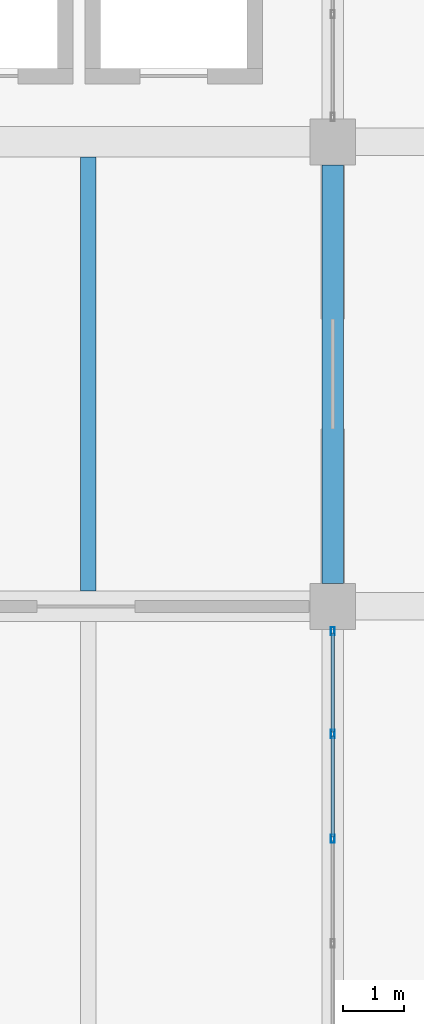
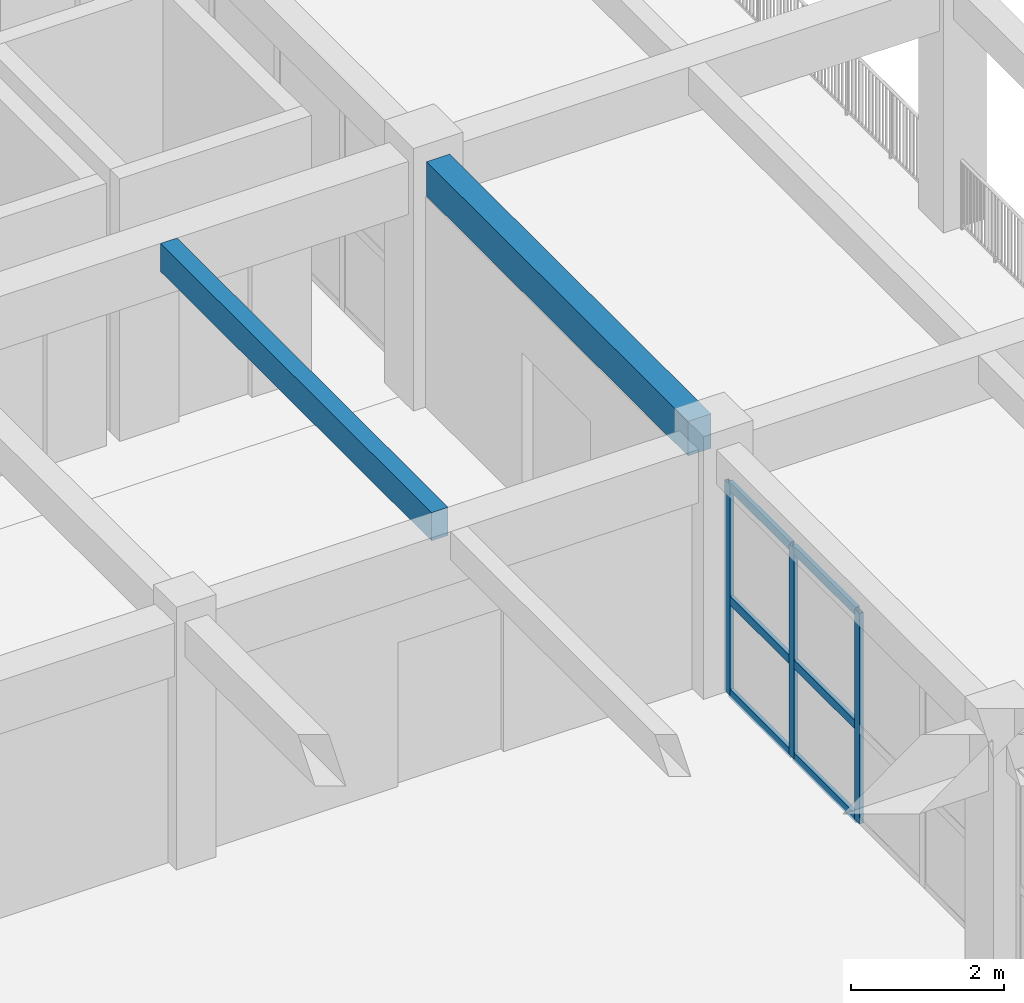
# One storey, part 21 of 63: 9 members, 2 beams, 1 element without a shape of its own.
"""IFC4 building model written with IfcOpenShell, lengths in metres."""

from ifc_helpers import new_model, si_unit, direction, frame, origin, origin_2d, place, context, subcontext, project, spatial, rectangle, hollow_rectangle, extrude, material, material_profile, profile_set, type_object, element, aggregate, save


model = new_model("IFC4")

# Units and contexts
model_context = context("Model", 3, precision=1e-05, world=origin(), true_north=direction((0.0, 1.0)))
body_context = subcontext(model_context, "Body", "Model", "MODEL_VIEW")
ifc_project = project(units=[si_unit("LENGTHUNIT", "METRE"), si_unit("AREAUNIT", "SQUARE_METRE"), si_unit("VOLUMEUNIT", "CUBIC_METRE"), si_unit("PLANEANGLEUNIT", "RADIAN"), si_unit("MASSUNIT", "GRAM", prefix="KILO")], contexts=[model_context])

# Site, building, storey
site_placement = place(None, origin())
site = spatial("IfcSite", under=ifc_project, at=site_placement, CompositionType="ELEMENT")
building_placement = place(site_placement, origin())
building = spatial("IfcBuilding", under=site, at=building_placement, Name="Zantavel Square City Hall", CompositionType="ELEMENT")
storey_placement = place(building_placement, frame((0.0, 0.0, 14.699951171875)))
storey = spatial("IfcBuildingStorey", under=building, at=storey_placement, Name="L04", CompositionType="ELEMENT", Elevation=14.699951171875)

# Curtain wall, members
ifc_material_1 = material(Name="Anodised aluminium 6063-T6", Category="aluminium")
curtain_wall_type = type_object("IfcCurtainWallType", Name="Curtain Wall TRV1 6850x3370", PredefinedType="USERDEFINED", material=ifc_material_1)
curtain_wall_placement = place(storey_placement, origin())
curtain_wall = element("IfcCurtainWall", 1, at=curtain_wall_placement, inside=storey, type_object=curtain_wall_type, Name="L04 Glazed Curtain Wall CW-L04-113", ObjectType="GLAZED CURTAIN WALL", PredefinedType="USERDEFINED")
ifc_material_profile_1 = material_profile(ifc_material_1, hollow_rectangle(XDim=0.06005859375, YDim=0.135009765625, WallThickness=0.00390625, at=origin_2d()), Name="ALU 60x135x4")
ifc_profile_set_1 = profile_set([ifc_material_profile_1], Name="Anodised aluminium 6063-T6")
member_type_1 = type_object("IfcMemberType", Name="CW Mullion ALU 60x135x4", PredefinedType="MULLION", material=ifc_profile_set_1)
member_1_placement = place(storey_placement, frame((104.0, 45.195068359375, 0.0), z_axis=(0.0, 0.0, 1.0), x_axis=(1.0, 0.0, 0.0)))
member_1 = element("IfcMember", 2, at=member_1_placement, type_object=member_type_1, Name="CW-113 mullion 1", PredefinedType="MULLION", context=body_context, shape_type="SweptSolid", body=[
    extrude(hollow_rectangle(XDim=0.06005859375, YDim=0.135009765625, WallThickness=0.00390625, at=origin_2d()), origin(), (0.0, 0.0, 1.0), 3.3701171875),
])
member_2_placement = place(storey_placement, frame((104.0, 43.512451171875, 0.0), z_axis=(0.0, 0.0, 1.0), x_axis=(1.0, 0.0, 0.0)))
member_2 = element("IfcMember", 3, at=member_2_placement, type_object=member_type_1, Name="CW-113 mullion 2", PredefinedType="MULLION", context=body_context, shape_type="SweptSolid", body=[
    extrude(hollow_rectangle(XDim=0.06005859375, YDim=0.135009765625, WallThickness=0.00390625, at=origin_2d()), origin(), (0.0, 0.0, 1.0), 3.3701171875),
])
member_3_placement = place(storey_placement, frame((104.0, 41.800048828125, 0.0), z_axis=(0.0, 0.0, 1.0), x_axis=(1.0, 0.0, 0.0)))
member_3 = element("IfcMember", 4, at=member_3_placement, type_object=member_type_1, Name="CW-113 mullion 3", PredefinedType="MULLION", context=body_context, shape_type="SweptSolid", body=[
    extrude(hollow_rectangle(XDim=0.06005859375, YDim=0.135009765625, WallThickness=0.00390625, at=origin_2d()), origin(), (0.0, 0.0, 1.0), 3.3701171875),
])
ifc_material_profile_2 = material_profile(ifc_material_1, hollow_rectangle(XDim=0.06005859375, YDim=0.139892578125, WallThickness=0.00390625, at=origin_2d()), Name="ALU 60x140x4")
ifc_profile_set_2 = profile_set([ifc_material_profile_2], Name="Anodised aluminium 6063-T6")
member_type_2 = type_object("IfcMemberType", Name="CW Transom ALU 60x140x4", PredefinedType="USERDEFINED", material=ifc_profile_set_2)
member_4_placement = place(storey_placement, frame((104.0, 45.1650390625, 0.030029296875), z_axis=(0.0, -1.0, 0.0), x_axis=(1.0, 0.0, 0.0)))
member_4 = element("IfcMember", 5, at=member_4_placement, type_object=member_type_2, Name="CW-113 transom 1.1", ObjectType="TRANSOM", PredefinedType="USERDEFINED", context=body_context, shape_type="SweptSolid", body=[
    extrude(hollow_rectangle(XDim=0.06005859375, YDim=0.139892578125, WallThickness=0.00390625, at=origin_2d()), origin(), (0.0, 0.0, 1.0), 1.62255859375),
])
member_5_placement = place(storey_placement, frame((104.0, 45.1650390625, 1.51708984375), z_axis=(0.0, -1.0, 0.0), x_axis=(1.0, 0.0, 0.0)))
member_5 = element("IfcMember", 6, at=member_5_placement, type_object=member_type_2, Name="CW-113 transom 1.2", ObjectType="TRANSOM", PredefinedType="USERDEFINED", context=body_context, shape_type="SweptSolid", body=[
    extrude(hollow_rectangle(XDim=0.06005859375, YDim=0.139892578125, WallThickness=0.00390625, at=origin_2d()), origin(), (0.0, 0.0, 1.0), 1.62255859375),
])
member_6_placement = place(storey_placement, frame((104.0, 45.1650390625, 3.340087890625), z_axis=(0.0, -1.0, 0.0), x_axis=(1.0, 0.0, 0.0)))
member_6 = element("IfcMember", 7, at=member_6_placement, type_object=member_type_2, Name="CW-113 transom 1.3", ObjectType="TRANSOM", PredefinedType="USERDEFINED", context=body_context, shape_type="SweptSolid", body=[
    extrude(hollow_rectangle(XDim=0.06005859375, YDim=0.139892578125, WallThickness=0.00390625, at=origin_2d()), origin(), (0.0, 0.0, 1.0), 1.62255859375),
])
member_7_placement = place(storey_placement, frame((104.0, 43.482421875, 0.030029296875), z_axis=(0.0, -1.0, 0.0), x_axis=(1.0, 0.0, 0.0)))
member_7 = element("IfcMember", 8, at=member_7_placement, type_object=member_type_2, Name="CW-113 transom 2.1", ObjectType="TRANSOM", PredefinedType="USERDEFINED", context=body_context, shape_type="SweptSolid", body=[
    extrude(hollow_rectangle(XDim=0.06005859375, YDim=0.139892578125, WallThickness=0.00390625, at=origin_2d()), origin(), (0.0, 0.0, 1.0), 1.65234375),
])
member_8_placement = place(storey_placement, frame((104.0, 43.482421875, 1.51708984375), z_axis=(0.0, -1.0, 0.0), x_axis=(1.0, 0.0, 0.0)))
member_8 = element("IfcMember", 9, at=member_8_placement, type_object=member_type_2, Name="CW-113 transom 2.2", ObjectType="TRANSOM", PredefinedType="USERDEFINED", context=body_context, shape_type="SweptSolid", body=[
    extrude(hollow_rectangle(XDim=0.06005859375, YDim=0.139892578125, WallThickness=0.00390625, at=origin_2d()), origin(), (0.0, 0.0, 1.0), 1.65234375),
])
member_9_placement = place(storey_placement, frame((104.0, 43.482421875, 3.340087890625), z_axis=(0.0, -1.0, 0.0), x_axis=(1.0, 0.0, 0.0)))
member_9 = element("IfcMember", 10, at=member_9_placement, type_object=member_type_2, Name="CW-113 transom 2.3", ObjectType="TRANSOM", PredefinedType="USERDEFINED", context=body_context, shape_type="SweptSolid", body=[
    extrude(hollow_rectangle(XDim=0.06005859375, YDim=0.139892578125, WallThickness=0.00390625, at=origin_2d()), origin(), (0.0, 0.0, 1.0), 1.65234375),
])
aggregate(curtain_wall, [member_1, member_2, member_3, member_4, member_5, member_6, member_7, member_8, member_9])

# Beams
ifc_material_2 = material(Name="Concrete C35/45", Category="concrete")
ifc_material_profile_3 = material_profile(ifc_material_2, rectangle(XDim=0.25, YDim=0.449951171875, at=origin_2d()), Name="RC 250x450")
ifc_profile_set_3 = profile_set([ifc_material_profile_3], Name="Concrete C35/45")
beam_type_1 = type_object("IfcBeamType", Name="Light Floor Joist RC 250x450 C35/45", PredefinedType="JOIST", material=ifc_profile_set_3)
beam_1_placement = place(storey_placement, frame((100.0, 45.85009765625, 3.695068359375), z_axis=(0.0, 1.0, 0.0), x_axis=(-1.0, 0.0, 0.0)))
element("IfcBeam", 11, at=beam_1_placement, inside=storey, type_object=beam_type_1, Name="L04 Floor Joist JST-L04-1000-0456", PredefinedType="JOIST", context=body_context, shape_type="SweptSolid", body=[
    extrude(rectangle(XDim=0.25, YDim=0.449951171875, at=origin_2d()), origin(), (0.0, 0.0, 1.0), 7.099853515625),
])
ifc_material_profile_4 = material_profile(ifc_material_2, rectangle(XDim=0.35009765625, YDim=0.550048828125, at=origin_2d()), Name="RC 350x550")
ifc_profile_set_4 = profile_set([ifc_material_profile_4], Name="Concrete C35/45")
beam_type_2 = type_object("IfcBeamType", Name="Secondary Beam RC 350x550 C35/45", PredefinedType="BEAM", material=ifc_profile_set_4)
beam_2_placement = place(storey_placement, frame((104.0, 45.97509765625, 3.64501953125), z_axis=(0.0, 1.0, 0.0), x_axis=(-1.0, 0.0, 0.0)))
element("IfcBeam", 12, at=beam_2_placement, inside=storey, type_object=beam_type_2, Name="L04 Beam BMY-L04-1040-0456", PredefinedType="BEAM", context=body_context, shape_type="SweptSolid", body=[
    extrude(rectangle(XDim=0.35009765625, YDim=0.550048828125, at=origin_2d()), origin(), (0.0, 0.0, 1.0), 6.849853515625),
])

save(model, "model.ifc")
